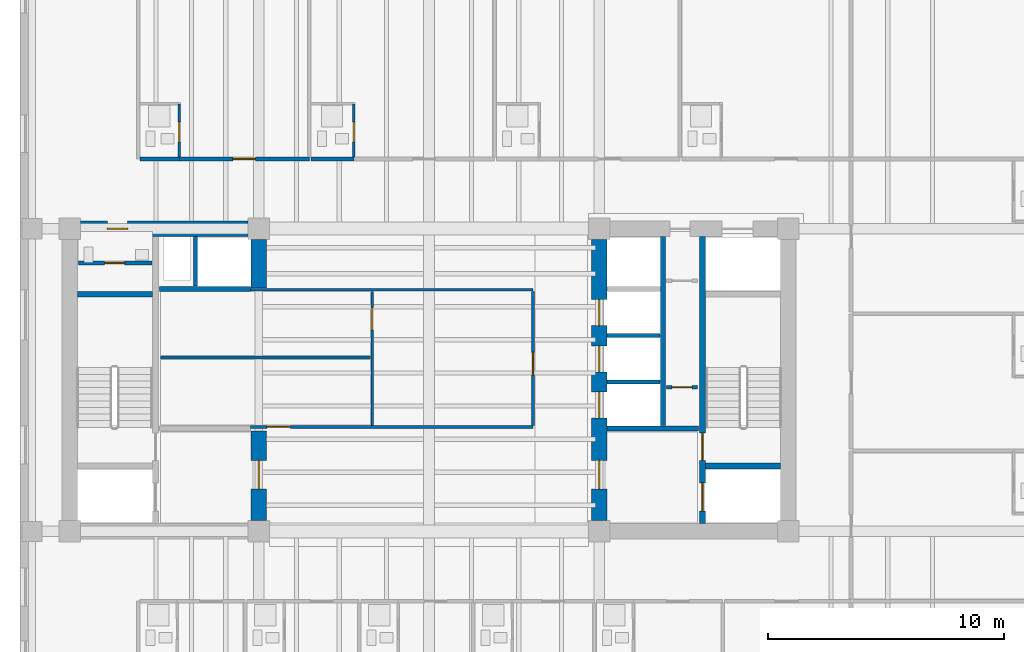
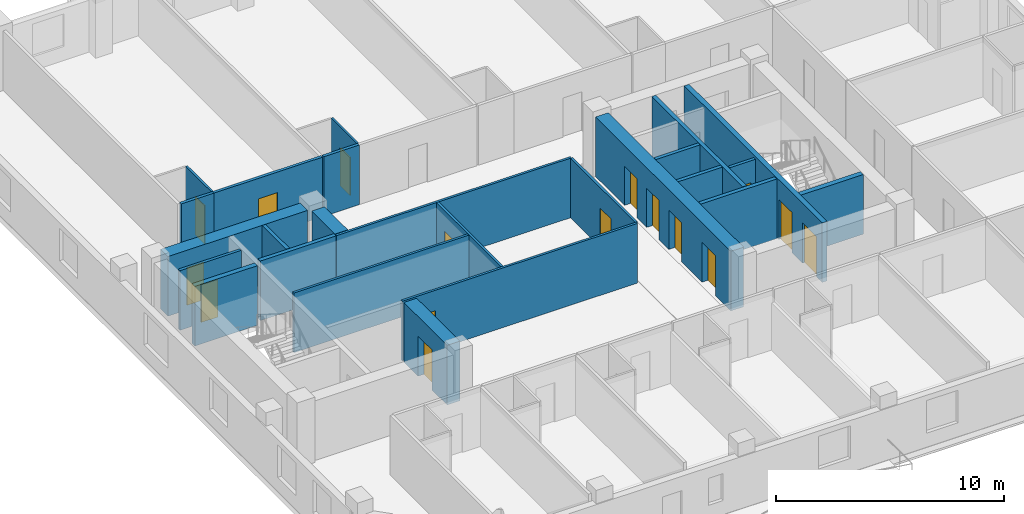
# One storey, part 4 of 11: 25 walls, 16 doors, 16 openings.
"""IFC4 building model written with IfcOpenShell, lengths in metres."""

from ifc_helpers import new_model, si_unit, direction, frame, frame_2d, origin, place, context, subcontext, project, spatial, rectangle, extrude, material, layer, layer_set, type_object, element, fill, save


model = new_model("IFC4")

# Units and contexts
model_context = context("Model", 3, precision=1e-05, world=origin(), true_north=direction((0.0, 1.0)))
body_context = subcontext(model_context, "Body", "Model", "MODEL_VIEW")
ifc_project = project(units=[si_unit("LENGTHUNIT", "METRE"), si_unit("AREAUNIT", "SQUARE_METRE"), si_unit("VOLUMEUNIT", "CUBIC_METRE"), si_unit("PLANEANGLEUNIT", "RADIAN"), si_unit("MASSUNIT", "GRAM", prefix="KILO")], contexts=[model_context])

# Site, building, storey
site_placement = place(None, origin())
site = spatial("IfcSite", under=ifc_project, at=site_placement, CompositionType="ELEMENT")
building_placement = place(site_placement, origin())
building = spatial("IfcBuilding", under=site, at=building_placement, Name="Kranthara Brick Stack", CompositionType="ELEMENT")
storey_placement = place(building_placement, frame((0.0, 0.0, 176.300048828125)))
storey = spatial("IfcBuildingStorey", under=building, at=storey_placement, Name="L45", CompositionType="ELEMENT", Elevation=176.300048828125)

# Wall
ifc_material_1 = material(Name="Concrete C50/60", Category="concrete")
ifc_layer_1 = layer(ifc_material_1, 0.25)
ifc_layer_set_1 = layer_set([ifc_layer_1], Name="Concrete C50/60")
wall_type_1 = type_object("IfcWallType", Name="WL-CORE-250", PredefinedType="SHEAR", material=ifc_layer_set_1)
wall_1_placement = place(storey_placement, frame((13.135009765625, 30.830078125, 0.0), z_axis=(0.0, 0.0, 1.0), x_axis=(1.0, 0.0, 0.0)))
element("IfcWall", 1, at=wall_1_placement, inside=storey, type_object=wall_type_1, Name="L45 West Stairwell Bearing Wall WST", PredefinedType="SHEAR", context=body_context, shape_type="SweptSolid", body=[
    extrude(rectangle(XDim=3.175048828125, YDim=0.25, at=frame_2d((1.58740234375, 0.0))), origin(), (0.0, 0.0, 1.0), 3.199951171875),
])

# Wall, openings, doors
wall_2_placement = place(storey_placement, frame((39.56494140625, 21.135009765625, 0.0), z_axis=(0.0, 0.0, 1.0), x_axis=(0.0, 1.0, 0.0)))
wall_2 = element("IfcWall", 2, at=wall_2_placement, inside=storey, type_object=wall_type_1, Name="L45 East Core Stair Bearing Spine Wall", PredefinedType="SHEAR", context=body_context, shape_type="SweptSolid", body=[
    extrude(rectangle(XDim=12.1298828125, YDim=0.25, at=frame_2d((6.06494140625, 0.0))), origin(), (0.0, 0.0, 1.0), 3.199951171875),
])
opening_1_placement = place(wall_2_placement, frame((0.514892578125, 0.0, 0.0)))
opening_1 = element("IfcOpeningElement", 3, at=opening_1_placement, cuts=wall_2, Name="Opening LD01", PredefinedType="OPENING", context=body_context, shape_type="SweptSolid", body=[
    extrude(rectangle(XDim=1.199951171875, YDim=2.14990234375, at=frame_2d((0.60009765625, 1.074951171875))), frame((0.0, 0.135009765625, 0.0), z_axis=(0.0, -1.0, 0.0), x_axis=(1.0, 0.0, 0.0)), (0.0, 0.0, 1.0), 0.27001953125),
])
opening_2_placement = place(wall_2_placement, frame((2.6650390625, 0.0, 0.0)))
opening_2 = element("IfcOpeningElement", 4, at=opening_2_placement, cuts=wall_2, Name="Opening D05", PredefinedType="OPENING", context=body_context, shape_type="SweptSolid", body=[
    extrude(rectangle(XDim=1.14990234375, YDim=2.14990234375, at=frame_2d((0.574951171875, 1.074951171875))), frame((0.0, 0.135009765625, 0.0), z_axis=(0.0, -1.0, 0.0), x_axis=(1.0, 0.0, 0.0)), (0.0, 0.0, 1.0), 0.27001953125),
])
ifc_material_2 = material(Name="Stainless steel sliding landing door", Category="steel")
door_type_1 = type_object("IfcDoorType", Name="DR-LD-FF1200", OperationType="DOUBLE_DOOR_SLIDING", PredefinedType="DOOR", material=ifc_material_2)
door_1_placement = place(opening_1_placement, origin())
door_1 = element("IfcDoor", 5, at=door_1_placement, inside=storey, type_object=door_type_1, Name="L45 Firefighting Lift FF-02 Landing Door", OperationType="DOUBLE_DOOR_SLIDING", OverallHeight=2.14990234375, OverallWidth=1.199951171875, PredefinedType="DOOR", context=body_context, shape_type="SweptSolid", body=[
    extrude(rectangle(XDim=1.199951171875, YDim=2.14990234375, at=frame_2d((0.60009765625, 1.074951171875))), frame((0.0, 0.02490234375, 0.0), z_axis=(0.0, -1.0, 0.0), x_axis=(1.0, 0.0, 0.0)), (0.0, 0.0, 1.0), 0.050048828125),
])
fill(opening_1, door_1)
ifc_material_3 = material(Name="Solid-core hardwood timber leaf in steel frame", Category="steel")
door_type_2 = type_object("IfcDoorType", Name="DR-ST-1150", OperationType="NOTDEFINED", PredefinedType="DOOR", material=ifc_material_3)
door_2_placement = place(opening_2_placement, origin())
door_2 = element("IfcDoor", 6, at=door_2_placement, inside=storey, type_object=door_type_2, Name="L45 Exit Stair ST02 Door", OperationType="SINGLE_SWING_LEFT", OverallHeight=2.14990234375, OverallWidth=1.14990234375, PredefinedType="DOOR", context=body_context, shape_type="SweptSolid", body=[
    extrude(rectangle(XDim=1.14990234375, YDim=2.14990234375, at=frame_2d((0.574951171875, 1.074951171875))), frame((0.0, 0.02490234375, 0.0), z_axis=(0.0, -1.0, 0.0), x_axis=(1.0, 0.0, 0.0)), (0.0, 0.0, 1.0), 0.050048828125),
])
fill(opening_2, door_2)

# Wall
wall_3_placement = place(storey_placement, frame((39.68994140625, 23.570068359375, 0.0), z_axis=(0.0, 0.0, 1.0), x_axis=(1.0, 0.0, 0.0)))
element("IfcWall", 7, at=wall_3_placement, inside=storey, type_object=wall_type_1, Name="L45 East Stairwell Bearing Wall EFF", PredefinedType="SHEAR", context=body_context, shape_type="SweptSolid", body=[
    extrude(rectangle(XDim=3.175048828125, YDim=0.25, at=frame_2d((1.58740234375, 0.0))), origin(), (0.0, 0.0, 1.0), 3.199951171875),
])

# Wall, opening, door
ifc_material_4 = material(Name="Concrete C60/75", Category="concrete")
ifc_layer_2 = layer(ifc_material_4, 0.64990234375)
ifc_layer_set_2 = layer_set([ifc_layer_2], Name="Concrete C60/75")
wall_type_2 = type_object("IfcWallType", Name="WL-CORE-650", PredefinedType="SHEAR", material=ifc_layer_set_2)
wall_4_placement = place(storey_placement, frame((13.2548828125, 33.60009765625, 0.0), z_axis=(0.0, 0.0, 1.0), x_axis=(1.0, 0.0, 0.0)))
wall_4 = element("IfcWall", 8, at=wall_4_placement, inside=storey, type_object=wall_type_2, Name="L45 West Core Shear Wall North", PredefinedType="SHEAR", context=body_context, shape_type="SweptSolid", body=[
    extrude(rectangle(XDim=7.090087890625, YDim=0.64990234375, at=frame_2d((3.544921875, 0.0))), origin(), (0.0, 0.0, 1.0), 3.199951171875),
])
opening_3_placement = place(wall_4_placement, frame((1.14501953125, 0.0, 0.0)))
opening_3 = element("IfcOpeningElement", 9, at=opening_3_placement, cuts=wall_4, Name="Opening D10", PredefinedType="OPENING", context=body_context, shape_type="SweptSolid", body=[
    extrude(rectangle(XDim=0.85009765625, YDim=2.02001953125, at=frame_2d((0.425048828125, 1.010009765625))), frame((0.0, 0.3349609375, 0.0), z_axis=(0.0, -1.0, 0.0), x_axis=(1.0, 0.0, 0.0)), (0.0, 0.0, 1.0), 0.669921875),
])
ifc_material_5 = material(Name="Solid-core hardwood timber leaf in steel frame", Category="steel")
door_type_3 = type_object("IfcDoorType", Name="DR-RSR-850", OperationType="NOTDEFINED", PredefinedType="DOOR", material=ifc_material_5)
door_3_placement = place(opening_3_placement, origin())
door_3 = element("IfcDoor", 10, at=door_3_placement, inside=storey, type_object=door_type_3, Name="L45 West Core Service Door 1", OperationType="SINGLE_SWING_LEFT", OverallHeight=2.02001953125, OverallWidth=0.85009765625, PredefinedType="DOOR", context=body_context, shape_type="SweptSolid", body=[
    extrude(rectangle(XDim=0.85009765625, YDim=2.02001953125, at=frame_2d((0.425048828125, 1.010009765625))), frame((0.0, 0.02490234375, 0.0), z_axis=(0.0, -1.0, 0.0), x_axis=(1.0, 0.0, 0.0)), (0.0, 0.0, 1.0), 0.050048828125),
])
fill(opening_3, door_3)

wall_5_placement = place(storey_placement, frame((20.800048828125, 21.2548828125, 0.0), z_axis=(0.0, 0.0, 1.0), x_axis=(0.0, 1.0, 0.0)))
wall_5 = element("IfcWall", 11, at=wall_5_placement, inside=storey, type_object=wall_type_2, Name="L45 West Core Lobby Shear Wall", PredefinedType="SHEAR", context=body_context, shape_type="SweptSolid", body=[
    extrude(rectangle(XDim=3.795166015625, YDim=0.64990234375, at=frame_2d((1.8974609375, 0.0))), origin(), (0.0, 0.0, 1.0), 3.199951171875),
])
opening_4_placement = place(wall_5_placement, frame((1.344970703125, 0.0, 0.0)))
opening_4 = element("IfcOpeningElement", 12, at=opening_4_placement, cuts=wall_5, Name="Opening D06", PredefinedType="OPENING", context=body_context, shape_type="SweptSolid", body=[
    extrude(rectangle(XDim=1.199951171875, YDim=2.14990234375, at=frame_2d((0.60009765625, 1.074951171875))), frame((0.0, 0.3349609375, 0.0), z_axis=(0.0, -1.0, 0.0), x_axis=(1.0, 0.0, 0.0)), (0.0, 0.0, 1.0), 0.669921875),
])
ifc_material_6 = material(Name="Solid-core hardwood timber leaf in steel frame", Category="steel")
door_type_4 = type_object("IfcDoorType", Name="DR-FFL-1200", OperationType="NOTDEFINED", PredefinedType="DOOR", material=ifc_material_6)
door_4_placement = place(opening_4_placement, origin())
door_4 = element("IfcDoor", 13, at=door_4_placement, inside=storey, type_object=door_type_4, Name="L45 West Firefighting Lobby Door", OperationType="SINGLE_SWING_LEFT", OverallHeight=2.14990234375, OverallWidth=1.199951171875, PredefinedType="DOOR", context=body_context, shape_type="SweptSolid", body=[
    extrude(rectangle(XDim=1.199951171875, YDim=2.14990234375, at=frame_2d((0.60009765625, 1.074951171875))), frame((0.0, 0.02490234375, 0.0), z_axis=(0.0, -1.0, 0.0), x_axis=(1.0, 0.0, 0.0)), (0.0, 0.0, 1.0), 0.050048828125),
])
fill(opening_4, door_4)

# Wall
wall_6_placement = place(storey_placement, frame((20.800048828125, 31.10009765625, 0.0), z_axis=(0.0, 0.0, 1.0), x_axis=(0.0, 1.0, 0.0)))
element("IfcWall", 14, at=wall_6_placement, inside=storey, type_object=wall_type_2, Name="L45 West Core High-Rise Lift Wall", PredefinedType="SHEAR", context=body_context, shape_type="SweptSolid", body=[
    extrude(rectangle(XDim=2.044921875, YDim=0.64990234375, at=frame_2d((1.0224609375, 0.0))), origin(), (0.0, 0.0, 1.0), 3.199951171875),
])

# Wall, openings, doors
wall_7_placement = place(storey_placement, frame((35.199951171875, 21.2548828125, 0.0), z_axis=(0.0, 0.0, 1.0), x_axis=(0.0, 1.0, 0.0)))
wall_7 = element("IfcWall", 15, at=wall_7_placement, inside=storey, type_object=wall_type_2, Name="L45 East Core Shear Wall West", PredefinedType="SHEAR", context=body_context, shape_type="SweptSolid", body=[
    extrude(rectangle(XDim=11.89013671875, YDim=0.64990234375, at=frame_2d((5.945068359375, 0.0))), origin(), (0.0, 0.0, 1.0), 3.199951171875),
])
opening_5_placement = place(wall_7_placement, frame((1.344970703125, 0.0, 0.0)))
opening_5 = element("IfcOpeningElement", 16, at=opening_5_placement, cuts=wall_7, Name="Opening D06", PredefinedType="OPENING", context=body_context, shape_type="SweptSolid", body=[
    extrude(rectangle(XDim=1.199951171875, YDim=2.14990234375, at=frame_2d((0.60009765625, 1.074951171875))), frame((0.0, 0.3349609375, 0.0), z_axis=(0.0, -1.0, 0.0), x_axis=(1.0, 0.0, 0.0)), (0.0, 0.0, 1.0), 0.669921875),
])
opening_6_placement = place(wall_7_placement, frame((4.344970703125, 0.0, 0.0)))
opening_6 = element("IfcOpeningElement", 17, at=opening_6_placement, cuts=wall_7, Name="Opening LD02", PredefinedType="OPENING", context=body_context, shape_type="SweptSolid", body=[
    extrude(rectangle(XDim=1.10009765625, YDim=2.10009765625, at=frame_2d((0.550048828125, 1.050048828125))), frame((0.0, 0.3349609375, 0.0), z_axis=(0.0, -1.0, 0.0), x_axis=(1.0, 0.0, 0.0)), (0.0, 0.0, 1.0), 0.669921875),
])
opening_7_placement = place(wall_7_placement, frame((6.294921875, 0.0, 0.0)))
opening_7 = element("IfcOpeningElement", 18, at=opening_7_placement, cuts=wall_7, Name="Opening LD02", PredefinedType="OPENING", context=body_context, shape_type="SweptSolid", body=[
    extrude(rectangle(XDim=1.10009765625, YDim=2.10009765625, at=frame_2d((0.550048828125, 1.050048828125))), frame((0.0, 0.3349609375, 0.0), z_axis=(0.0, -1.0, 0.0), x_axis=(1.0, 0.0, 0.0)), (0.0, 0.0, 1.0), 0.669921875),
])
opening_8_placement = place(wall_7_placement, frame((8.2451171875, 0.0, 0.0)))
opening_8 = element("IfcOpeningElement", 19, at=opening_8_placement, cuts=wall_7, Name="Opening LD02", PredefinedType="OPENING", context=body_context, shape_type="SweptSolid", body=[
    extrude(rectangle(XDim=1.10009765625, YDim=2.10009765625, at=frame_2d((0.550048828125, 1.050048828125))), frame((0.0, 0.3349609375, 0.0), z_axis=(0.0, -1.0, 0.0), x_axis=(1.0, 0.0, 0.0)), (0.0, 0.0, 1.0), 0.669921875),
])
door_5_placement = place(opening_5_placement, origin())
door_5 = element("IfcDoor", 20, at=door_5_placement, inside=storey, type_object=door_type_4, Name="L45 East Firefighting Lobby Door", OperationType="SINGLE_SWING_RIGHT", OverallHeight=2.14990234375, OverallWidth=1.199951171875, PredefinedType="DOOR", context=body_context, shape_type="SweptSolid", body=[
    extrude(rectangle(XDim=1.199951171875, YDim=2.14990234375, at=frame_2d((0.60009765625, 1.074951171875))), frame((0.0, 0.02490234375, 0.0), z_axis=(0.0, -1.0, 0.0), x_axis=(1.0, 0.0, 0.0)), (0.0, 0.0, 1.0), 0.050048828125),
])
fill(opening_5, door_5)
ifc_material_7 = material(Name="Stainless steel sliding landing door", Category="steel")
door_type_5 = type_object("IfcDoorType", Name="DR-LD-PL1100", OperationType="DOUBLE_DOOR_SLIDING", PredefinedType="DOOR", material=ifc_material_7)
door_6_placement = place(opening_6_placement, origin())
door_6 = element("IfcDoor", 21, at=door_6_placement, inside=storey, type_object=door_type_5, Name="L45 PL-04 Lift Landing Door", OperationType="DOUBLE_DOOR_SLIDING", OverallHeight=2.10009765625, OverallWidth=1.10009765625, PredefinedType="DOOR", context=body_context, shape_type="SweptSolid", body=[
    extrude(rectangle(XDim=1.10009765625, YDim=2.10009765625, at=frame_2d((0.550048828125, 1.050048828125))), frame((0.0, 0.02490234375, 0.0), z_axis=(0.0, -1.0, 0.0), x_axis=(1.0, 0.0, 0.0)), (0.0, 0.0, 1.0), 0.050048828125),
])
fill(opening_6, door_6)
door_7_placement = place(opening_7_placement, origin())
door_7 = element("IfcDoor", 22, at=door_7_placement, inside=storey, type_object=door_type_5, Name="L45 PL-05 Lift Landing Door", OperationType="DOUBLE_DOOR_SLIDING", OverallHeight=2.10009765625, OverallWidth=1.10009765625, PredefinedType="DOOR", context=body_context, shape_type="SweptSolid", body=[
    extrude(rectangle(XDim=1.10009765625, YDim=2.10009765625, at=frame_2d((0.550048828125, 1.050048828125))), frame((0.0, 0.02490234375, 0.0), z_axis=(0.0, -1.0, 0.0), x_axis=(1.0, 0.0, 0.0)), (0.0, 0.0, 1.0), 0.050048828125),
])
fill(opening_7, door_7)
door_8_placement = place(opening_8_placement, origin())
door_8 = element("IfcDoor", 23, at=door_8_placement, inside=storey, type_object=door_type_5, Name="L45 PL-06 Lift Landing Door", OperationType="DOUBLE_DOOR_SLIDING", OverallHeight=2.10009765625, OverallWidth=1.10009765625, PredefinedType="DOOR", context=body_context, shape_type="SweptSolid", body=[
    extrude(rectangle(XDim=1.10009765625, YDim=2.10009765625, at=frame_2d((0.550048828125, 1.050048828125))), frame((0.0, 0.02490234375, 0.0), z_axis=(0.0, -1.0, 0.0), x_axis=(1.0, 0.0, 0.0)), (0.0, 0.0, 1.0), 0.050048828125),
])
fill(opening_8, door_8)

# Wall, opening, door
ifc_material_8 = material(Name="Moisture-resistant wet-room partition", Category="other")
ifc_layer_3 = layer(ifc_material_8, 0.10009765625)
ifc_layer_set_3 = layer_set([ifc_layer_3], Name="Moisture-resistant wet-room partition")
wall_type_3 = type_object("IfcWallType", Name="WL-PART-100", PredefinedType="PARTITIONING", material=ifc_layer_set_3)
wall_8_placement = place(storey_placement, frame((17.4365234375, 36.6298828125, 0.0), z_axis=(0.0, 0.0, 1.0), x_axis=(0.0, 1.0, 0.0)))
wall_8 = element("IfcWall", 24, at=wall_8_placement, inside=storey, type_object=wall_type_3, Name="L45 Interior Partition 040", PredefinedType="PARTITIONING", context=body_context, shape_type="SweptSolid", body=[
    extrude(rectangle(XDim=2.25, YDim=0.10009765625, at=frame_2d((1.125, 0.0))), origin(), (0.0, 0.0, 1.0), 3.199951171875),
])
opening_9_placement = place(wall_8_placement, frame((0.639892578125, 0.0, 0.0)))
opening_9 = element("IfcOpeningElement", 25, at=opening_9_placement, cuts=wall_8, Name="Opening D17", PredefinedType="OPENING", context=body_context, shape_type="SweptSolid", body=[
    extrude(rectangle(XDim=0.85009765625, YDim=2.050048828125, at=frame_2d((0.425048828125, 1.02490234375))), frame((0.0, 0.06005859375, 0.0), z_axis=(0.0, -1.0, 0.0), x_axis=(1.0, 0.0, 0.0)), (0.0, 0.0, 1.0), 0.1201171875),
])
ifc_material_9 = material(Name="Solid-core hardwood timber leaf in steel frame", Category="steel")
door_type_6 = type_object("IfcDoorType", Name="DR-WET-850", OperationType="NOTDEFINED", PredefinedType="DOOR", material=ifc_material_9)
door_9_placement = place(opening_9_placement, origin())
door_9 = element("IfcDoor", 26, at=door_9_placement, inside=storey, type_object=door_type_6, Name="L45 Key 07 En-Suite Door 18", OperationType="SINGLE_SWING_RIGHT", OverallHeight=2.050048828125, OverallWidth=0.85009765625, PredefinedType="DOOR", context=body_context, shape_type="SweptSolid", body=[
    extrude(rectangle(XDim=0.85009765625, YDim=2.050048828125, at=frame_2d((0.425048828125, 1.02490234375))), frame((0.0, 0.02490234375, 0.0), z_axis=(0.0, -1.0, 0.0), x_axis=(1.0, 0.0, 0.0)), (0.0, 0.0, 1.0), 0.050048828125),
])
fill(opening_9, door_9)

wall_9_placement = place(storey_placement, frame((24.8173828125, 36.6298828125, 0.0), z_axis=(0.0, 0.0, 1.0), x_axis=(0.0, 1.0, 0.0)))
wall_9 = element("IfcWall", 27, at=wall_9_placement, inside=storey, type_object=wall_type_3, Name="L45 Interior Partition 045", PredefinedType="PARTITIONING", context=body_context, shape_type="SweptSolid", body=[
    extrude(rectangle(XDim=2.25, YDim=0.10009765625, at=frame_2d((1.125, 0.0))), origin(), (0.0, 0.0, 1.0), 3.199951171875),
])
opening_10_placement = place(wall_9_placement, frame((0.639892578125, 0.0, 0.0)))
opening_10 = element("IfcOpeningElement", 28, at=opening_10_placement, cuts=wall_9, Name="Opening D17", PredefinedType="OPENING", context=body_context, shape_type="SweptSolid", body=[
    extrude(rectangle(XDim=0.85009765625, YDim=2.050048828125, at=frame_2d((0.425048828125, 1.02490234375))), frame((0.0, 0.06005859375, 0.0), z_axis=(0.0, -1.0, 0.0), x_axis=(1.0, 0.0, 0.0)), (0.0, 0.0, 1.0), 0.1201171875),
])
door_10_placement = place(opening_10_placement, origin())
door_10 = element("IfcDoor", 29, at=door_10_placement, inside=storey, type_object=door_type_6, Name="L45 Key 08 En-Suite Door 20", OperationType="SINGLE_SWING_RIGHT", OverallHeight=2.050048828125, OverallWidth=0.85009765625, PredefinedType="DOOR", context=body_context, shape_type="SweptSolid", body=[
    extrude(rectangle(XDim=0.85009765625, YDim=2.050048828125, at=frame_2d((0.425048828125, 1.02490234375))), frame((0.0, 0.02490234375, 0.0), z_axis=(0.0, -1.0, 0.0), x_axis=(1.0, 0.0, 0.0)), (0.0, 0.0, 1.0), 0.050048828125),
])
fill(opening_10, door_10)

ifc_material_10 = material(Name="Acoustic gypsum plasterboard partition", Category="other")
ifc_layer_4 = layer(ifc_material_10, 0.1201171875)
ifc_layer_set_4 = layer_set([ifc_layer_4], Name="Acoustic gypsum plasterboard partition")
wall_type_4 = type_object("IfcWallType", Name="WL-PART-120", PredefinedType="PARTITIONING", material=ifc_layer_set_4)
wall_10_placement = place(storey_placement, frame((20.4599609375, 25.219970703125, 0.0), z_axis=(0.0, 0.0, 1.0), x_axis=(1.0, 0.0, 0.0)))
wall_10 = element("IfcWall", 30, at=wall_10_placement, inside=storey, type_object=wall_type_4, Name="L45 Interior Partition 004", PredefinedType="PARTITIONING", context=body_context, shape_type="SweptSolid", body=[
    extrude(rectangle(XDim=11.93994140625, YDim=0.1201171875, at=frame_2d((5.969970703125, 0.0))), origin(), (0.0, 0.0, 1.0), 3.199951171875),
])
opening_11_placement = place(wall_10_placement, frame((0.679931640625, 0.0, 0.0)))
opening_11 = element("IfcOpeningElement", 31, at=opening_11_placement, cuts=wall_10, Name="Opening D13", PredefinedType="OPENING", context=body_context, shape_type="SweptSolid", body=[
    extrude(rectangle(XDim=1.0, YDim=2.10009765625, at=frame_2d((0.5, 1.050048828125))), frame((0.0, 0.070068359375, 0.0), z_axis=(0.0, -1.0, 0.0), x_axis=(1.0, 0.0, 0.0)), (0.0, 0.0, 1.0), 0.14013671875),
])
ifc_material_11 = material(Name="Solid-core hardwood timber leaf in steel frame", Category="steel")
door_type_7 = type_object("IfcDoorType", Name="DR-INT-1000", OperationType="NOTDEFINED", PredefinedType="DOOR", material=ifc_material_11)
door_11_placement = place(opening_11_placement, origin())
door_11 = element("IfcDoor", 32, at=door_11_placement, inside=storey, type_object=door_type_7, Name="L45 Reading Room Door 04", OperationType="SINGLE_SWING_RIGHT", OverallHeight=2.10009765625, OverallWidth=1.0, PredefinedType="DOOR", context=body_context, shape_type="SweptSolid", body=[
    extrude(rectangle(XDim=1.0, YDim=2.10009765625, at=frame_2d((0.5, 1.050048828125))), frame((0.0, 0.02490234375, 0.0), z_axis=(0.0, -1.0, 0.0), x_axis=(1.0, 0.0, 0.0)), (0.0, 0.0, 1.0), 0.050048828125),
])
fill(opening_11, door_11)

# Wall
wall_11_placement = place(storey_placement, frame((20.4599609375, 31.02001953125, 0.0), z_axis=(0.0, 0.0, 1.0), x_axis=(1.0, 0.0, 0.0)))
element("IfcWall", 33, at=wall_11_placement, inside=storey, type_object=wall_type_4, Name="L45 Interior Partition 005", PredefinedType="PARTITIONING", context=body_context, shape_type="SweptSolid", body=[
    extrude(rectangle(XDim=11.93994140625, YDim=0.1201171875, at=frame_2d((5.969970703125, 0.0))), origin(), (0.0, 0.0, 1.0), 3.199951171875),
])

# Wall, opening, door
wall_12_placement = place(storey_placement, frame((32.39990234375, 25.284912109375, 0.0), z_axis=(0.0, 0.0, 1.0), x_axis=(0.0, 1.0, 0.0)))
wall_12 = element("IfcWall", 34, at=wall_12_placement, inside=storey, type_object=wall_type_4, Name="L45 Interior Partition 006", PredefinedType="PARTITIONING", context=body_context, shape_type="SweptSolid", body=[
    extrude(rectangle(XDim=5.670166015625, YDim=0.1201171875, at=frame_2d((2.8349609375, 0.0))), origin(), (0.0, 0.0, 1.0), 3.199951171875),
])
opening_12_placement = place(wall_12_placement, frame((2.135009765625, 0.0, 0.0)))
opening_12 = element("IfcOpeningElement", 35, at=opening_12_placement, cuts=wall_12, Name="Opening D14", PredefinedType="OPENING", context=body_context, shape_type="SweptSolid", body=[
    extrude(rectangle(XDim=0.949951171875, YDim=2.10009765625, at=frame_2d((0.47509765625, 1.050048828125))), frame((0.0, 0.070068359375, 0.0), z_axis=(0.0, -1.0, 0.0), x_axis=(1.0, 0.0, 0.0)), (0.0, 0.0, 1.0), 0.14013671875),
])
ifc_material_12 = material(Name="Solid-core hardwood timber leaf in steel frame", Category="steel")
door_type_8 = type_object("IfcDoorType", Name="DR-INT-950", OperationType="NOTDEFINED", PredefinedType="DOOR", material=ifc_material_12)
door_12_placement = place(opening_12_placement, origin())
door_12 = element("IfcDoor", 36, at=door_12_placement, inside=storey, type_object=door_type_8, Name="L45 Housekeeping Linen Door 06", OperationType="SINGLE_SWING_RIGHT", OverallHeight=2.10009765625, OverallWidth=0.949951171875, PredefinedType="DOOR", context=body_context, shape_type="SweptSolid", body=[
    extrude(rectangle(XDim=0.949951171875, YDim=2.10009765625, at=frame_2d((0.47509765625, 1.050048828125))), frame((0.0, 0.02490234375, 0.0), z_axis=(0.0, -1.0, 0.0), x_axis=(1.0, 0.0, 0.0)), (0.0, 0.0, 1.0), 0.050048828125),
])
fill(opening_12, door_12)

wall_13_placement = place(storey_placement, frame((25.60009765625, 25.284912109375, 0.0), z_axis=(0.0, 0.0, 1.0), x_axis=(0.0, 1.0, 0.0)))
wall_13 = element("IfcWall", 37, at=wall_13_placement, inside=storey, type_object=wall_type_4, Name="L45 Interior Partition 007", PredefinedType="PARTITIONING", context=body_context, shape_type="SweptSolid", body=[
    extrude(rectangle(XDim=5.670166015625, YDim=0.1201171875, at=frame_2d((2.8349609375, 0.0))), origin(), (0.0, 0.0, 1.0), 3.199951171875),
])
opening_13_placement = place(wall_13_placement, frame((4.034912109375, 0.0, 0.0)))
opening_13 = element("IfcOpeningElement", 38, at=opening_13_placement, cuts=wall_13, Name="Opening D14", PredefinedType="OPENING", context=body_context, shape_type="SweptSolid", body=[
    extrude(rectangle(XDim=0.949951171875, YDim=2.10009765625, at=frame_2d((0.47509765625, 1.050048828125))), frame((0.0, 0.070068359375, 0.0), z_axis=(0.0, -1.0, 0.0), x_axis=(1.0, 0.0, 0.0)), (0.0, 0.0, 1.0), 0.14013671875),
])
door_13_placement = place(opening_13_placement, origin())
door_13 = element("IfcDoor", 39, at=door_13_placement, inside=storey, type_object=door_type_8, Name="L45 Meeting Salon Door 05", OperationType="SINGLE_SWING_LEFT", OverallHeight=2.10009765625, OverallWidth=0.949951171875, PredefinedType="DOOR", context=body_context, shape_type="SweptSolid", body=[
    extrude(rectangle(XDim=0.949951171875, YDim=2.10009765625, at=frame_2d((0.47509765625, 1.050048828125))), frame((0.0, 0.02490234375, 0.0), z_axis=(0.0, -1.0, 0.0), x_axis=(1.0, 0.0, 0.0)), (0.0, 0.0, 1.0), 0.050048828125),
])
fill(opening_13, door_13)

# Wall
wall_14_placement = place(storey_placement, frame((16.64990234375, 28.14990234375, 0.0), z_axis=(0.0, 0.0, 1.0), x_axis=(1.0, 0.0, 0.0)))
element("IfcWall", 40, at=wall_14_placement, inside=storey, type_object=wall_type_4, Name="L45 Interior Partition 008", PredefinedType="PARTITIONING", context=body_context, shape_type="SweptSolid", body=[
    extrude(rectangle(XDim=8.885009765625, YDim=0.1201171875, at=frame_2d((4.4423828125, 0.0))), origin(), (0.0, 0.0, 1.0), 3.199951171875),
])

# Wall, opening, door
ifc_material_13 = material(Name="Fire-rated gypsum board partition", Category="other")
ifc_layer_5 = layer(ifc_material_13, 0.14990234375)
ifc_layer_set_5 = layer_set([ifc_layer_5], Name="Fire-rated gypsum board partition")
wall_type_5 = type_object("IfcWallType", Name="WL-PART-150", PredefinedType="PARTITIONING", material=ifc_layer_set_5)
wall_15_placement = place(storey_placement, frame((13.179931640625, 32.14990234375, 0.0), z_axis=(0.0, 0.0, 1.0), x_axis=(1.0, 0.0, 0.0)))
wall_15 = element("IfcWall", 41, at=wall_15_placement, inside=storey, type_object=wall_type_5, Name="L45 Interior Partition 001", PredefinedType="PARTITIONING", context=body_context, shape_type="SweptSolid", body=[
    extrude(rectangle(XDim=3.10009765625, YDim=0.14990234375, at=frame_2d((1.550048828125, 0.0))), origin(), (0.0, 0.0, 1.0), 3.199951171875),
])
opening_14_placement = place(wall_15_placement, frame((1.10009765625, 0.0, 0.0)))
opening_14 = element("IfcOpeningElement", 42, at=opening_14_placement, cuts=wall_15, Name="Opening D10", PredefinedType="OPENING", context=body_context, shape_type="SweptSolid", body=[
    extrude(rectangle(XDim=0.85009765625, YDim=2.02001953125, at=frame_2d((0.425048828125, 1.010009765625))), frame((0.0, 0.0849609375, 0.0), z_axis=(0.0, -1.0, 0.0), x_axis=(1.0, 0.0, 0.0)), (0.0, 0.0, 1.0), 0.169921875),
])
door_14_placement = place(opening_14_placement, origin())
door_14 = element("IfcDoor", 43, at=door_14_placement, inside=storey, type_object=door_type_3, Name="L45 West Inner Riser Door 01", OperationType="SINGLE_SWING_LEFT", OverallHeight=2.02001953125, OverallWidth=0.85009765625, PredefinedType="DOOR", context=body_context, shape_type="SweptSolid", body=[
    extrude(rectangle(XDim=0.85009765625, YDim=2.02001953125, at=frame_2d((0.425048828125, 1.010009765625))), frame((0.0, 0.02490234375, 0.0), z_axis=(0.0, -1.0, 0.0), x_axis=(1.0, 0.0, 0.0)), (0.0, 0.0, 1.0), 0.050048828125),
])
fill(opening_14, door_14)

wall_16_placement = place(storey_placement, frame((38.050048828125, 26.89990234375, 0.0), z_axis=(0.0, 0.0, 1.0), x_axis=(1.0, 0.0, 0.0)))
wall_16 = element("IfcWall", 44, at=wall_16_placement, inside=storey, type_object=wall_type_5, Name="L45 Interior Partition 002", PredefinedType="PARTITIONING", context=body_context, shape_type="SweptSolid", body=[
    extrude(rectangle(XDim=1.300048828125, YDim=0.14990234375, at=frame_2d((0.64990234375, 0.0))), origin(), (0.0, 0.0, 1.0), 3.199951171875),
])
opening_15_placement = place(wall_16_placement, frame((0.219970703125, 0.0, 0.0)))
opening_15 = element("IfcOpeningElement", 45, at=opening_15_placement, cuts=wall_16, Name="Opening D10", PredefinedType="OPENING", context=body_context, shape_type="SweptSolid", body=[
    extrude(rectangle(XDim=0.85009765625, YDim=2.02001953125, at=frame_2d((0.425048828125, 1.010009765625))), frame((0.0, 0.0849609375, 0.0), z_axis=(0.0, -1.0, 0.0), x_axis=(1.0, 0.0, 0.0)), (0.0, 0.0, 1.0), 0.169921875),
])
door_15_placement = place(opening_15_placement, origin())
door_15 = element("IfcDoor", 46, at=door_15_placement, inside=storey, type_object=door_type_3, Name="L45 East Valve Door 02", OperationType="SINGLE_SWING_RIGHT", OverallHeight=2.02001953125, OverallWidth=0.85009765625, PredefinedType="DOOR", context=body_context, shape_type="SweptSolid", body=[
    extrude(rectangle(XDim=0.85009765625, YDim=2.02001953125, at=frame_2d((0.425048828125, 1.010009765625))), frame((0.0, 0.02490234375, 0.0), z_axis=(0.0, -1.0, 0.0), x_axis=(1.0, 0.0, 0.0)), (0.0, 0.0, 1.0), 0.050048828125),
])
fill(opening_15, door_15)

# Wall
wall_17_placement = place(storey_placement, frame((15.780029296875, 36.550048828125, 0.0), z_axis=(0.0, 0.0, 1.0), x_axis=(1.0, 0.0, 0.0)))
element("IfcWall", 47, at=wall_17_placement, inside=storey, type_object=wall_type_5, Name="L45 Interior Partition 038", PredefinedType="PARTITIONING", context=body_context, shape_type="SweptSolid", body=[
    extrude(rectangle(XDim=1.656494140625, YDim=0.14990234375, at=frame_2d((0.828125, 0.0))), origin(), (0.0, 0.0, 1.0), 3.199951171875),
])

# Wall, opening, door
wall_18_placement = place(storey_placement, frame((17.4365234375, 36.550048828125, 0.0), z_axis=(0.0, 0.0, 1.0), x_axis=(1.0, 0.0, 0.0)))
wall_18 = element("IfcWall", 48, at=wall_18_placement, inside=storey, type_object=wall_type_5, Name="L45 Interior Partition 039", PredefinedType="PARTITIONING", context=body_context, shape_type="SweptSolid", body=[
    extrude(rectangle(XDim=5.49951171875, YDim=0.14990234375, at=frame_2d((2.749755859375, 0.0))), origin(), (0.0, 0.0, 1.0), 3.199951171875),
])
opening_16_placement = place(wall_18_placement, frame((2.27001953125, 0.0, 0.0)))
opening_16 = element("IfcOpeningElement", 49, at=opening_16_placement, cuts=wall_18, Name="Opening D09", PredefinedType="OPENING", context=body_context, shape_type="SweptSolid", body=[
    extrude(rectangle(XDim=0.949951171875, YDim=2.10009765625, at=frame_2d((0.47509765625, 1.050048828125))), frame((0.0, 0.0849609375, 0.0), z_axis=(0.0, -1.0, 0.0), x_axis=(1.0, 0.0, 0.0)), (0.0, 0.0, 1.0), 0.169921875),
])
ifc_material_14 = material(Name="Solid-core hardwood timber leaf in steel frame", Category="steel")
door_type_9 = type_object("IfcDoorType", Name="DR-FD-950", OperationType="NOTDEFINED", PredefinedType="DOOR", material=ifc_material_14)
door_16_placement = place(opening_16_placement, origin())
door_16 = element("IfcDoor", 50, at=door_16_placement, inside=storey, type_object=door_type_9, Name="L45 Key 07 Entry 19", OperationType="SINGLE_SWING_LEFT", OverallHeight=2.10009765625, OverallWidth=0.949951171875, PredefinedType="DOOR", context=body_context, shape_type="SweptSolid", body=[
    extrude(rectangle(XDim=0.949951171875, YDim=2.10009765625, at=frame_2d((0.47509765625, 1.050048828125))), frame((0.0, 0.02490234375, 0.0), z_axis=(0.0, -1.0, 0.0), x_axis=(1.0, 0.0, 0.0)), (0.0, 0.0, 1.0), 0.050048828125),
])
fill(opening_16, door_16)

# Walls
wall_19_placement = place(storey_placement, frame((23.01611328125, 36.550048828125, 0.0), z_axis=(0.0, 0.0, 1.0), x_axis=(1.0, 0.0, 0.0)))
element("IfcWall", 51, at=wall_19_placement, inside=storey, type_object=wall_type_5, Name="L45 Interior Partition 043", PredefinedType="PARTITIONING", context=body_context, shape_type="SweptSolid", body=[
    extrude(rectangle(XDim=1.80126953125, YDim=0.14990234375, at=frame_2d((0.900634765625, 0.0))), origin(), (0.0, 0.0, 1.0), 3.199951171875),
])
ifc_material_15 = material(Name="Gypsum plasterboard on acoustic twin stud", Category="other")
ifc_layer_6 = layer(ifc_material_15, 0.179931640625)
ifc_layer_set_6 = layer_set([ifc_layer_6], Name="Gypsum plasterboard on acoustic twin stud")
wall_type_6 = type_object("IfcWallType", Name="WL-PART-180", PredefinedType="PARTITIONING", material=ifc_layer_set_6)
wall_20_placement = place(storey_placement, frame((18.1201171875, 31.169921875, 0.0), z_axis=(0.0, 0.0, 1.0), x_axis=(0.0, 1.0, 0.0)))
element("IfcWall", 52, at=wall_20_placement, inside=storey, type_object=wall_type_6, Name="L45 PL-07 Shaft Back Wall", PredefinedType="PARTITIONING", context=body_context, shape_type="SweptSolid", body=[
    extrude(rectangle(XDim=2.094970703125, YDim=0.179931640625, at=frame_2d((1.04736328125, 0.0))), origin(), (0.0, 0.0, 1.0), 3.199951171875),
])
for number, where, z_axis, x_axis, name in (
    (53, (35.534912109375, 27.1201171875, 0.0), (0.0, 0.0, 1.0), (1.0, 0.0, 0.0), "L45 East Hoistway Wall EH1"),
    (54, (35.534912109375, 29.080078125, 0.0), (0.0, 0.0, 1.0), (1.0, 0.0, 0.0), "L45 East Hoistway Wall EH2"),
):
    element("IfcWall", number, at=place(storey_placement, frame(where, z_axis=z_axis, x_axis=x_axis)), inside=storey, type_object=wall_type_6, Name=name, PredefinedType="PARTITIONING", context=body_context, shape_type="SweptSolid", body=[
        extrude(rectangle(XDim=2.2451171875, YDim=0.179931640625, at=frame_2d((1.12255859375, 0.0))), origin(), (0.0, 0.0, 1.0), 3.199951171875),
    ])
ifc_material_16 = material(Name="Concrete C40/50", Category="concrete")
ifc_layer_7 = layer(ifc_material_16, 0.199951171875)
ifc_layer_set_7 = layer_set([ifc_layer_7], Name="Concrete C40/50")
wall_type_7 = type_object("IfcWallType", Name="WL-PART-200", PredefinedType="SOLIDWALL", material=ifc_layer_set_7)
wall_21_placement = place(storey_placement, frame((16.60009765625, 31.050048828125, 0.0), z_axis=(0.0, 0.0, 1.0), x_axis=(1.0, 0.0, 0.0)))
element("IfcWall", 55, at=wall_21_placement, inside=storey, type_object=wall_type_7, Name="L45 West Core Cross Wall WH4", PredefinedType="SOLIDWALL", context=body_context, shape_type="SweptSolid", body=[
    extrude(rectangle(XDim=3.849853515625, YDim=0.199951171875, at=frame_2d((1.9248046875, 0.0))), origin(), (0.0, 0.0, 1.0), 3.199951171875),
])
wall_22_placement = place(storey_placement, frame((35.534912109375, 25.14990234375, 0.0), z_axis=(0.0, 0.0, 1.0), x_axis=(1.0, 0.0, 0.0)))
element("IfcWall", 56, at=wall_22_placement, inside=storey, type_object=wall_type_7, Name="L45 East Core Cross Wall EFL", PredefinedType="SOLIDWALL", context=body_context, shape_type="SweptSolid", body=[
    extrude(rectangle(XDim=3.864990234375, YDim=0.199951171875, at=frame_2d((1.9326171875, 0.0))), origin(), (0.0, 0.0, 1.0), 3.199951171875),
])
wall_23_placement = place(storey_placement, frame((37.89990234375, 25.27001953125, 0.0), z_axis=(0.0, 0.0, 1.0), x_axis=(0.0, 1.0, 0.0)))
element("IfcWall", 57, at=wall_23_placement, inside=storey, type_object=wall_type_7, Name="L45 East Core Cross Wall ESV", PredefinedType="SOLIDWALL", context=body_context, shape_type="SweptSolid", body=[
    extrude(rectangle(XDim=7.994873046875, YDim=0.199951171875, at=frame_2d((3.99755859375, 0.0))), origin(), (0.0, 0.0, 1.0), 3.199951171875),
])

save(model, "model.ifc")
